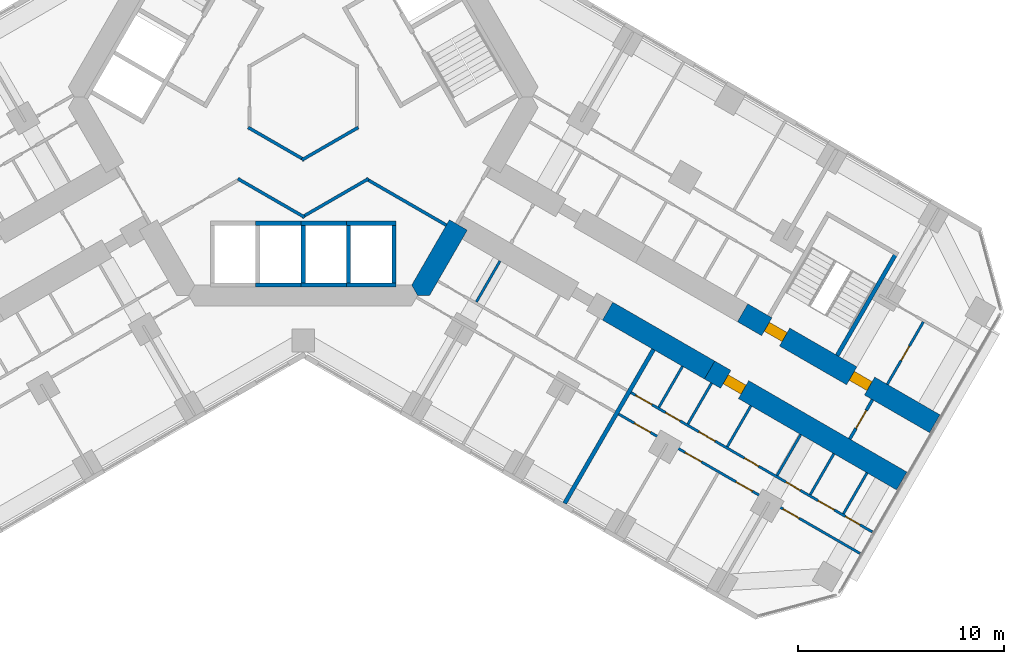
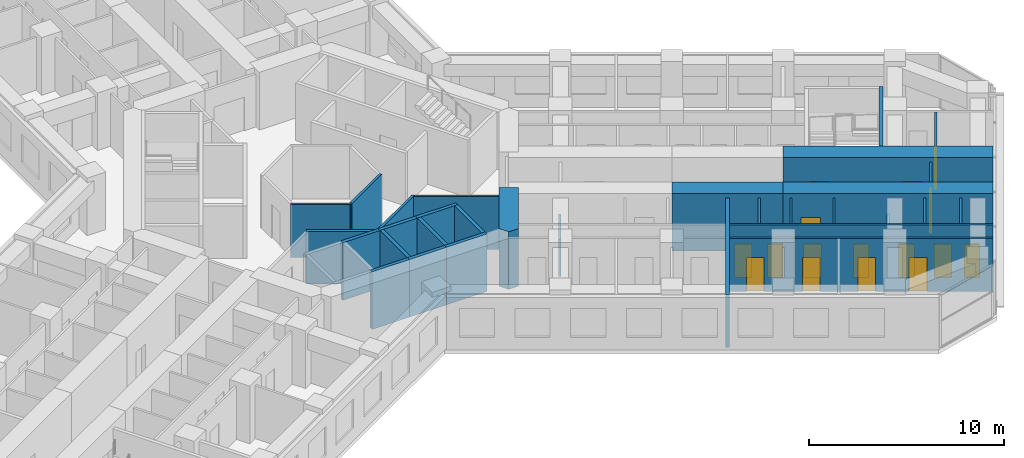
# One storey, part 14 of 21: 31 walls, 16 doors, 16 openings.
"""IFC4 building model written with IfcOpenShell, lengths in metres."""

from ifc_helpers import new_model, si_unit, direction, frame, frame_2d, origin, place, context, subcontext, project, spatial, polyline, rectangle, outline, extrude, material, layer, layer_set, type_object, element, fill, save


model = new_model("IFC4")

# Units and contexts
model_context = context("Model", 3, precision=1e-05, world=origin(), true_north=direction((0.0, 1.0)))
body_context = subcontext(model_context, "Body", "Model", "MODEL_VIEW")
ifc_project = project(units=[si_unit("LENGTHUNIT", "METRE"), si_unit("AREAUNIT", "SQUARE_METRE"), si_unit("VOLUMEUNIT", "CUBIC_METRE"), si_unit("PLANEANGLEUNIT", "RADIAN"), si_unit("MASSUNIT", "GRAM", prefix="KILO")], contexts=[model_context])

# Site, building, storey
site_placement = place(None, origin())
site = spatial("IfcSite", under=ifc_project, at=site_placement, CompositionType="ELEMENT")
building_placement = place(site_placement, origin())
building = spatial("IfcBuilding", under=site, at=building_placement, Name="Kosmar Iwan School Tower", CompositionType="ELEMENT")
storey_placement = place(building_placement, frame((0.0, 0.0, 28.800048828125)))
storey = spatial("IfcBuildingStorey", under=building, at=storey_placement, Name="L06", CompositionType="ELEMENT", Elevation=28.800048828125)

# Walls
ifc_material_1 = material(Name="Gypsum board on steel studs, fire-rated", Category="steel")
ifc_layer_1 = layer(ifc_material_1, 0.14990234375)
ifc_layer_set_1 = layer_set([ifc_layer_1], Name="Core room partition 150")
wall_type_1 = type_object("IfcWallType", Name="Core room partition 150", PredefinedType="PARTITIONING", material=ifc_layer_set_1)
for number, where, z_axis, x_axis, name in (
    (1, (2.6650390625, -1.463623046875, 0.0), (0.0, 0.0, 1.0), (-0.866023080072, -0.500004024767, 0.0), "Core room partition L06-CW4"),
    (2, (0.06494140625, -3.039794921875, 0.0), (0.0, 0.0, 1.0), (-0.866023080072, 0.500004024767, 0.0), "Core room partition L06-CW5"),
):
    element("IfcWall", number, at=place(storey_placement, frame(where, z_axis=z_axis, x_axis=x_axis)), inside=storey, type_object=wall_type_1, Name=name, PredefinedType="PARTITIONING", context=body_context, shape_type="SweptSolid", body=[
        extrude(rectangle(XDim=3.15234375, YDim=0.14990234375, at=frame_2d((1.576171875, 0.0))), origin(), (0.0, 0.0, 1.0), 3.300048828125),
    ])
for number, where, z_axis, x_axis, name in (
    (3, (-3.1650390625, -3.9462890625, 0.0), (0.0, 0.0, 1.0), (0.866035156036, -0.499983108224, 0.0), "Core room partition L06-CW11"),
    (4, (-0.06494140625, -5.81103515625, 0.0), (0.0, 0.0, 1.0), (0.866035156036, 0.499983108224, 0.0), "Core room partition L06-CW12"),
):
    element("IfcWall", number, at=place(storey_placement, frame(where, z_axis=z_axis, x_axis=x_axis)), inside=storey, type_object=wall_type_1, Name=name, PredefinedType="PARTITIONING", context=body_context, shape_type="SweptSolid", body=[
        extrude(rectangle(XDim=3.729736328125, YDim=0.14990234375, at=frame_2d((1.86474609375, 0.0))), origin(), (0.0, 0.0, 1.0), 3.300048828125),
    ])
wall_1_placement = place(storey_placement, frame((3.03515625, -3.9462890625, 0.0), z_axis=(0.0, 0.0, 1.0), x_axis=(0.866020192391, -0.500009026289, 0.0)))
element("IfcWall", 5, at=wall_1_placement, inside=storey, type_object=wall_type_1, Name="Core room partition L06-CW13", PredefinedType="PARTITIONING", context=body_context, shape_type="SweptSolid", body=[
    extrude(rectangle(XDim=4.49853515625, YDim=0.14990234375, at=frame_2d((2.249267578125, 0.0))), origin(), (0.0, 0.0, 1.0), 3.300048828125),
])
ifc_material_2 = material(Name="Concrete C50/60", Category="concrete")
ifc_layer_2 = layer(ifc_material_2, 1.0)
ifc_layer_set_2 = layer_set([ifc_layer_2], Name="Core wall 1000")
wall_type_2 = type_object("IfcWallType", Name="Core wall 1000", PredefinedType="SHEAR", material=ifc_layer_set_2)
wall_2_placement = place(storey_placement, origin())
element("IfcWall", 6, at=wall_2_placement, inside=storey, type_object=wall_type_2, Name="Core wall F330a", PredefinedType="SHEAR", context=body_context, shape_type="SweptSolid", body=[
    extrude(outline(polyline([(5.54248046875, -9.60009765625), (6.119873046875, -9.60009765625), (7.94677734375, -6.435546875), (7.080810546875, -5.935546875), (5.25390625, -9.10009765625), (5.54248046875, -9.60009765625)])), origin(), (0.0, 0.0, 1.0), 3.599853515625),
])

# Wall, openings, doors
ifc_material_3 = material(Name="Concrete C50/60", Category="concrete")
ifc_layer_3 = layer(ifc_material_3, 1.0)
ifc_layer_set_3 = layer_set([ifc_layer_3], Name="Corridor buttress wall 1000")
wall_type_3 = type_object("IfcWallType", Name="Corridor buttress wall 1000", PredefinedType="SHEAR", material=ifc_layer_set_3)
wall_3_placement = place(storey_placement, frame((21.281494140625, -10.439453125, 0.0), z_axis=(0.0, 0.0, 1.0), x_axis=(0.866032345022, -0.499987977232, 0.0)))
wall_3 = element("IfcWall", 7, at=wall_3_placement, inside=storey, type_object=wall_type_3, Name="Corridor wall CL bay 3", PredefinedType="SHEAR", context=body_context, shape_type="SweptSolid", body=[
    extrude(rectangle(XDim=10.744873046875, YDim=1.0, at=frame_2d((5.37255859375, 0.0))), origin(), (0.0, 0.0, 1.0), 3.599853515625),
])
opening_1_placement = place(wall_3_placement, frame((6.10009765625, 0.0, 0.0)))
opening_1 = element("IfcOpeningElement", 8, at=opening_1_placement, cuts=wall_3, Name="Opening D1", PredefinedType="OPENING", context=body_context, shape_type="SweptSolid", body=[
    extrude(rectangle(XDim=1.0, YDim=2.10009765625, at=frame_2d((0.5, 1.050048828125))), frame((0.0, 0.511962890625, 0.0), z_axis=(0.0, -1.0, 0.0), x_axis=(1.0, 0.0, 0.0)), (0.0, 0.0, 1.0), 1.02392578125),
])
opening_2_placement = place(wall_3_placement, frame((1.35009765625, 0.0, 0.0)))
opening_2 = element("IfcOpeningElement", 9, at=opening_2_placement, cuts=wall_3, Name="Opening D6", PredefinedType="OPENING", context=body_context, shape_type="SweptSolid", body=[
    extrude(rectangle(XDim=1.0, YDim=2.10009765625, at=frame_2d((0.5, 1.050048828125))), frame((0.0, 0.511962890625, 0.0), z_axis=(0.0, -1.0, 0.0), x_axis=(1.0, 0.0, 0.0)), (0.0, 0.0, 1.0), 1.02392578125),
])
ifc_material_4 = material(Name="Timber fire door in steel frame", Category="steel")
door_type_1 = type_object("IfcDoorType", Name="Flat entrance door 1000x2100", OperationType="SINGLE_SWING_LEFT", PredefinedType="DOOR", material=ifc_material_4)
door_1_placement = place(opening_1_placement, origin())
door_1 = element("IfcDoor", 10, at=door_1_placement, inside=storey, type_object=door_type_1, Name="Flat L06-CL2 entrance door", OperationType="SINGLE_SWING_RIGHT", OverallHeight=2.10009765625, OverallWidth=1.0, PredefinedType="DOOR", context=body_context, shape_type="SweptSolid", body=[
    extrude(rectangle(XDim=1.0, YDim=2.10009765625, at=frame_2d((0.5, 1.050048828125))), frame((0.0, 0.25, 0.0), z_axis=(0.0, -1.0, 0.0), x_axis=(1.0, 0.0, 0.0)), (0.0, 0.0, 1.0), 0.5),
])
fill(opening_1, door_1)
ifc_material_5 = material(Name="Steel fire door", Category="steel")
door_type_2 = type_object("IfcDoorType", Name="Stair door 1000x2100", OperationType="SINGLE_SWING_LEFT", PredefinedType="DOOR", material=ifc_material_5)
door_2_placement = place(opening_2_placement, origin())
door_2 = element("IfcDoor", 11, at=door_2_placement, inside=storey, type_object=door_type_2, Name="Stair WS3 door L06", OperationType="SINGLE_SWING_LEFT", OverallHeight=2.10009765625, OverallWidth=1.0, PredefinedType="DOOR", context=body_context, shape_type="SweptSolid", body=[
    extrude(rectangle(XDim=1.0, YDim=2.10009765625, at=frame_2d((0.5, 1.050048828125))), frame((0.0, 0.25, 0.0), z_axis=(0.0, -1.0, 0.0), x_axis=(1.0, 0.0, 0.0)), (0.0, 0.0, 1.0), 0.5),
])
fill(opening_2, door_2)

# Wall
wall_4_placement = place(storey_placement, frame((14.7451171875, -10.360595703125, 0.0), z_axis=(0.0, 0.0, 1.0), x_axis=(0.866015111908, -0.50001782563, 0.0)))
element("IfcWall", 12, at=wall_4_placement, inside=storey, type_object=wall_type_3, Name="Corridor wall CR bay 2", PredefinedType="SHEAR", context=body_context, shape_type="SweptSolid", body=[
    extrude(rectangle(XDim=5.699951171875, YDim=1.0, at=frame_2d((2.85009765625, 0.0))), origin(), (0.0, 0.0, 1.0), 3.599853515625),
])

# Wall, opening, door
wall_5_placement = place(storey_placement, frame((19.681396484375, -13.210693359375, 0.0), z_axis=(0.0, 0.0, 1.0), x_axis=(0.866028186671, -0.499995179869, 0.0)))
wall_5 = element("IfcWall", 13, at=wall_5_placement, inside=storey, type_object=wall_type_3, Name="Corridor wall CR bay 3", PredefinedType="SHEAR", context=body_context, shape_type="SweptSolid", body=[
    extrude(rectangle(XDim=10.7451171875, YDim=1.0, at=frame_2d((5.37255859375, 0.0))), origin(), (0.0, 0.0, 1.0), 3.599853515625),
])
opening_3_placement = place(wall_5_placement, frame((0.89990234375, 0.0, 0.0)))
opening_3 = element("IfcOpeningElement", 14, at=opening_3_placement, cuts=wall_5, Name="Opening D1", PredefinedType="OPENING", context=body_context, shape_type="SweptSolid", body=[
    extrude(rectangle(XDim=1.0, YDim=2.10009765625, at=frame_2d((0.5, 1.050048828125))), frame((0.0, 0.511962890625, 0.0), z_axis=(0.0, -1.0, 0.0), x_axis=(1.0, 0.0, 0.0)), (0.0, 0.0, 1.0), 1.02392578125),
])
door_3_placement = place(opening_3_placement, origin())
door_3 = element("IfcDoor", 15, at=door_3_placement, inside=storey, type_object=door_type_1, Name="Flat L06-CR2 entrance door", OperationType="SINGLE_SWING_LEFT", OverallHeight=2.10009765625, OverallWidth=1.0, PredefinedType="DOOR", context=body_context, shape_type="SweptSolid", body=[
    extrude(rectangle(XDim=1.0, YDim=2.10009765625, at=frame_2d((0.5, 1.050048828125))), frame((0.0, 0.25, 0.0), z_axis=(0.0, -1.0, 0.0), x_axis=(1.0, 0.0, 0.0)), (0.0, 0.0, 1.0), 0.5),
])
fill(opening_3, door_3)

ifc_material_6 = material(Name="Gypsum board on steel studs, fire-rated", Category="steel")
ifc_layer_4 = layer(ifc_material_6, 0.14990234375)
ifc_layer_set_4 = layer_set([ifc_layer_4], Name="Corridor end wall 150")
wall_type_4 = type_object("IfcWallType", Name="Corridor end wall 150", PredefinedType="PARTITIONING", material=ifc_layer_set_4)
wall_6_placement = place(storey_placement, frame((26.469970703125, -16.552734375, 0.0), z_axis=(0.0, 0.0, 1.0), x_axis=(0.50002983664, 0.866008176907, 0.0)))
wall_6 = element("IfcWall", 16, at=wall_6_placement, inside=storey, type_object=wall_type_4, Name="Partition L06-C-CE", PredefinedType="PARTITIONING", context=body_context, shape_type="SweptSolid", body=[
    extrude(rectangle(XDim=2.199951171875, YDim=0.14990234375, at=frame_2d((1.10009765625, 0.0))), origin(), (0.0, 0.0, 1.0), 3.300048828125),
])
opening_4_placement = place(wall_6_placement, frame((0.60009765625, 0.0, 0.0)))
opening_4 = element("IfcOpeningElement", 17, at=opening_4_placement, cuts=wall_6, Name="Opening D13", PredefinedType="OPENING", context=body_context, shape_type="SweptSolid", body=[
    extrude(rectangle(XDim=1.0, YDim=2.10009765625, at=frame_2d((0.5, 1.050048828125))), frame((0.0, 0.0869140625, 0.0), z_axis=(0.0, -1.0, 0.0), x_axis=(1.0, 0.0, 0.0)), (0.0, 0.0, 1.0), 0.173828125),
])
ifc_material_7 = material(Name="Timber fire door with vision panel", Category="wood")
door_type_3 = type_object("IfcDoorType", Name="Corridor end door 1000x2100", OperationType="SINGLE_SWING_LEFT", PredefinedType="DOOR", material=ifc_material_7)
door_4_placement = place(opening_4_placement, origin())
door_4 = element("IfcDoor", 18, at=door_4_placement, inside=storey, type_object=door_type_3, Name="Laundry and drying room door L06-C", OperationType="SINGLE_SWING_RIGHT", OverallHeight=2.10009765625, OverallWidth=1.0, PredefinedType="DOOR", context=body_context, shape_type="SweptSolid", body=[
    extrude(rectangle(XDim=1.0, YDim=2.10009765625, at=frame_2d((0.5, 1.050048828125))), frame((0.0, 0.02490234375, 0.0), z_axis=(0.0, -1.0, 0.0), x_axis=(1.0, 0.0, 0.0)), (0.0, 0.0, 1.0), 0.050048828125),
])
fill(opening_4, door_4)

ifc_material_8 = material(Name="Gypsum board on steel studs", Category="steel")
ifc_layer_5 = layer(ifc_material_8, 0.1201171875)
ifc_layer_set_5 = layer_set([ifc_layer_5], Name="Dwelling partition 120")
wall_type_5 = type_object("IfcWallType", Name="Dwelling partition 120", PredefinedType="PARTITIONING", material=ifc_layer_set_5)
wall_7_placement = place(storey_placement, frame((28.286376953125, -13.90625, 0.0), z_axis=(0.0, 0.0, 1.0), x_axis=(0.50002117804, 0.866013176292, 0.0)))
wall_7 = element("IfcWall", 19, at=wall_7_placement, inside=storey, type_object=wall_type_5, Name="Partition L06-CL2-TY", PredefinedType="PARTITIONING", context=body_context, shape_type="SweptSolid", body=[
    extrude(rectangle(XDim=3.489990234375, YDim=0.1201171875, at=frame_2d((1.7451171875, 0.0))), origin(), (0.0, 0.0, 1.0), 3.300048828125),
])
opening_5_placement = place(wall_7_placement, frame((1.344970703125, 0.0, 0.0)))
opening_5 = element("IfcOpeningElement", 20, at=opening_5_placement, cuts=wall_7, Name="Opening D3", PredefinedType="OPENING", context=body_context, shape_type="SweptSolid", body=[
    extrude(rectangle(XDim=0.800048828125, YDim=2.10009765625, at=frame_2d((0.39990234375, 1.050048828125))), frame((0.0, 0.072021484375, 0.0), z_axis=(0.0, -1.0, 0.0), x_axis=(1.0, 0.0, 0.0)), (0.0, 0.0, 1.0), 0.14404296875),
])
ifc_material_9 = material(Name="Timber door in timber frame", Category="wood")
door_type_4 = type_object("IfcDoorType", Name="Sanitary room door 800x2100", OperationType="SINGLE_SWING_LEFT", PredefinedType="DOOR", material=ifc_material_9)
door_5_placement = place(opening_5_placement, origin())
door_5 = element("IfcDoor", 21, at=door_5_placement, inside=storey, type_object=door_type_4, Name="Bathroom door L06-CL2-T4", OperationType="SINGLE_SWING_RIGHT", OverallHeight=2.10009765625, OverallWidth=0.800048828125, PredefinedType="DOOR", context=body_context, shape_type="SweptSolid", body=[
    extrude(rectangle(XDim=0.800048828125, YDim=2.10009765625, at=frame_2d((0.39990234375, 1.050048828125))), frame((0.0, 0.02490234375, 0.0), z_axis=(0.0, -1.0, 0.0), x_axis=(1.0, 0.0, 0.0)), (0.0, 0.0, 1.0), 0.050048828125),
])
fill(opening_5, door_5)

# Wall
wall_8_placement = place(storey_placement, frame((9.53271484375, -7.9287109375, 0.0), z_axis=(0.0, 0.0, 1.0), x_axis=(-0.49993472906, -0.8660630847, 0.0)))
element("IfcWall", 22, at=wall_8_placement, inside=storey, type_object=wall_type_5, Name="Partition L06-CR1-Y1", PredefinedType="PARTITIONING", context=body_context, shape_type="SweptSolid", body=[
    extrude(rectangle(XDim=2.289794921875, YDim=0.1201171875, at=frame_2d((1.14501953125, 0.0))), origin(), (0.0, 0.0, 1.0), 2.300048828125),
])

# Wall, openings, doors
wall_9_placement = place(storey_placement, frame((15.875, -14.3037109375, 0.0), z_axis=(0.0, 0.0, 1.0), x_axis=(0.866023503214, -0.50000329187, 0.0)))
wall_9 = element("IfcWall", 23, at=wall_9_placement, inside=storey, type_object=wall_type_5, Name="Partition L06-CR2-W1", PredefinedType="PARTITIONING", context=body_context, shape_type="SweptSolid", body=[
    extrude(rectangle(XDim=13.4951171875, YDim=0.1201171875, at=frame_2d((6.74755859375, 0.0))), origin(), (0.0, 0.0, 1.0), 3.300048828125),
])
opening_6_placement = place(wall_9_placement, frame((0.262451171875, 0.0, 0.0)))
opening_6 = element("IfcOpeningElement", 24, at=opening_6_placement, cuts=wall_9, Name="Opening D2", PredefinedType="OPENING", context=body_context, shape_type="SweptSolid", body=[
    extrude(rectangle(XDim=0.89990234375, YDim=2.10009765625, at=frame_2d((0.449951171875, 1.050048828125))), frame((0.0, 0.072021484375, 0.0), z_axis=(0.0, -1.0, 0.0), x_axis=(1.0, 0.0, 0.0)), (0.0, 0.0, 1.0), 0.14404296875),
])
opening_7_placement = place(wall_9_placement, frame((1.9375, 0.0, 0.0)))
opening_7 = element("IfcOpeningElement", 25, at=opening_7_placement, cuts=wall_9, Name="Opening D3", PredefinedType="OPENING", context=body_context, shape_type="SweptSolid", body=[
    extrude(rectangle(XDim=0.800048828125, YDim=2.10009765625, at=frame_2d((0.39990234375, 1.050048828125))), frame((0.0, 0.072021484375, 0.0), z_axis=(0.0, -1.0, 0.0), x_axis=(1.0, 0.0, 0.0)), (0.0, 0.0, 1.0), 0.14404296875),
])
opening_8_placement = place(wall_9_placement, frame((3.800048828125, 0.0, 0.0)))
opening_8 = element("IfcOpeningElement", 26, at=opening_8_placement, cuts=wall_9, Name="Opening D2", PredefinedType="OPENING", context=body_context, shape_type="SweptSolid", body=[
    extrude(rectangle(XDim=0.89990234375, YDim=2.10009765625, at=frame_2d((0.449951171875, 1.050048828125))), frame((0.0, 0.072021484375, 0.0), z_axis=(0.0, -1.0, 0.0), x_axis=(1.0, 0.0, 0.0)), (0.0, 0.0, 1.0), 0.14404296875),
])
opening_9_placement = place(wall_9_placement, frame((6.341796875, 0.0, 0.0)))
opening_9 = element("IfcOpeningElement", 27, at=opening_9_placement, cuts=wall_9, Name="Opening D3", PredefinedType="OPENING", context=body_context, shape_type="SweptSolid", body=[
    extrude(rectangle(XDim=0.800048828125, YDim=2.10009765625, at=frame_2d((0.39990234375, 1.050048828125))), frame((0.0, 0.072021484375, 0.0), z_axis=(0.0, -1.0, 0.0), x_axis=(1.0, 0.0, 0.0)), (0.0, 0.0, 1.0), 0.14404296875),
])
opening_10_placement = place(wall_9_placement, frame((8.6611328125, 0.0, 0.0)))
opening_10 = element("IfcOpeningElement", 28, at=opening_10_placement, cuts=wall_9, Name="Opening D3", PredefinedType="OPENING", context=body_context, shape_type="SweptSolid", body=[
    extrude(rectangle(XDim=0.800048828125, YDim=2.10009765625, at=frame_2d((0.39990234375, 1.050048828125))), frame((0.0, 0.072021484375, 0.0), z_axis=(0.0, -1.0, 0.0), x_axis=(1.0, 0.0, 0.0)), (0.0, 0.0, 1.0), 0.14404296875),
])
opening_11_placement = place(wall_9_placement, frame((10.466796875, 0.0, 0.0)))
opening_11 = element("IfcOpeningElement", 29, at=opening_11_placement, cuts=wall_9, Name="Opening D2", PredefinedType="OPENING", context=body_context, shape_type="SweptSolid", body=[
    extrude(rectangle(XDim=0.89990234375, YDim=2.10009765625, at=frame_2d((0.449951171875, 1.050048828125))), frame((0.0, 0.072021484375, 0.0), z_axis=(0.0, -1.0, 0.0), x_axis=(1.0, 0.0, 0.0)), (0.0, 0.0, 1.0), 0.14404296875),
])
opening_12_placement = place(wall_9_placement, frame((12.00439453125, 0.0, 0.0)))
opening_12 = element("IfcOpeningElement", 30, at=opening_12_placement, cuts=wall_9, Name="Opening D3", PredefinedType="OPENING", context=body_context, shape_type="SweptSolid", body=[
    extrude(rectangle(XDim=0.800048828125, YDim=2.10009765625, at=frame_2d((0.39990234375, 1.050048828125))), frame((0.0, 0.072021484375, 0.0), z_axis=(0.0, -1.0, 0.0), x_axis=(1.0, 0.0, 0.0)), (0.0, 0.0, 1.0), 0.14404296875),
])
ifc_material_10 = material(Name="Timber door in timber frame", Category="wood")
door_type_5 = type_object("IfcDoorType", Name="Internal door 900x2100", OperationType="SINGLE_SWING_LEFT", PredefinedType="DOOR", material=ifc_material_10)
door_6_placement = place(opening_6_placement, origin())
door_6 = element("IfcDoor", 31, at=door_6_placement, inside=storey, type_object=door_type_5, Name="Utility room door L06-CR2-S1", OperationType="SINGLE_SWING_LEFT", OverallHeight=2.10009765625, OverallWidth=0.89990234375, PredefinedType="DOOR", context=body_context, shape_type="SweptSolid", body=[
    extrude(rectangle(XDim=0.89990234375, YDim=2.10009765625, at=frame_2d((0.449951171875, 1.050048828125))), frame((0.0, 0.02490234375, 0.0), z_axis=(0.0, -1.0, 0.0), x_axis=(1.0, 0.0, 0.0)), (0.0, 0.0, 1.0), 0.050048828125),
])
fill(opening_6, door_6)
door_7_placement = place(opening_8_placement, origin())
door_7 = element("IfcDoor", 32, at=door_7_placement, inside=storey, type_object=door_type_5, Name="Entrance hall door L06-CR2-S3", OperationType="SINGLE_SWING_LEFT", OverallHeight=2.10009765625, OverallWidth=0.89990234375, PredefinedType="DOOR", context=body_context, shape_type="SweptSolid", body=[
    extrude(rectangle(XDim=0.89990234375, YDim=2.10009765625, at=frame_2d((0.449951171875, 1.050048828125))), frame((0.0, 0.02490234375, 0.0), z_axis=(0.0, -1.0, 0.0), x_axis=(1.0, 0.0, 0.0)), (0.0, 0.0, 1.0), 0.050048828125),
])
fill(opening_8, door_7)
door_8_placement = place(opening_11_placement, origin())
door_8 = element("IfcDoor", 33, at=door_8_placement, inside=storey, type_object=door_type_5, Name="Pantry door L06-CR2-S6", OperationType="SINGLE_SWING_RIGHT", OverallHeight=2.10009765625, OverallWidth=0.89990234375, PredefinedType="DOOR", context=body_context, shape_type="SweptSolid", body=[
    extrude(rectangle(XDim=0.89990234375, YDim=2.10009765625, at=frame_2d((0.449951171875, 1.050048828125))), frame((0.0, 0.02490234375, 0.0), z_axis=(0.0, -1.0, 0.0), x_axis=(1.0, 0.0, 0.0)), (0.0, 0.0, 1.0), 0.050048828125),
])
fill(opening_11, door_8)
door_9_placement = place(opening_7_placement, origin())
door_9 = element("IfcDoor", 34, at=door_9_placement, inside=storey, type_object=door_type_4, Name="WC door L06-CR2-S2", OperationType="SINGLE_SWING_RIGHT", OverallHeight=2.10009765625, OverallWidth=0.800048828125, PredefinedType="DOOR", context=body_context, shape_type="SweptSolid", body=[
    extrude(rectangle(XDim=0.800048828125, YDim=2.10009765625, at=frame_2d((0.39990234375, 1.050048828125))), frame((0.0, 0.02490234375, 0.0), z_axis=(0.0, -1.0, 0.0), x_axis=(1.0, 0.0, 0.0)), (0.0, 0.0, 1.0), 0.050048828125),
])
fill(opening_7, door_9)
door_10_placement = place(opening_9_placement, origin())
door_10 = element("IfcDoor", 35, at=door_10_placement, inside=storey, type_object=door_type_4, Name="Bathroom door L06-CR2-S4", OperationType="SINGLE_SWING_RIGHT", OverallHeight=2.10009765625, OverallWidth=0.800048828125, PredefinedType="DOOR", context=body_context, shape_type="SweptSolid", body=[
    extrude(rectangle(XDim=0.800048828125, YDim=2.10009765625, at=frame_2d((0.39990234375, 1.050048828125))), frame((0.0, 0.02490234375, 0.0), z_axis=(0.0, -1.0, 0.0), x_axis=(1.0, 0.0, 0.0)), (0.0, 0.0, 1.0), 0.050048828125),
])
fill(opening_9, door_10)
door_11_placement = place(opening_10_placement, origin())
door_11 = element("IfcDoor", 36, at=door_11_placement, inside=storey, type_object=door_type_4, Name="Shower room door L06-CR2-S5", OperationType="SINGLE_SWING_LEFT", OverallHeight=2.10009765625, OverallWidth=0.800048828125, PredefinedType="DOOR", context=body_context, shape_type="SweptSolid", body=[
    extrude(rectangle(XDim=0.800048828125, YDim=2.10009765625, at=frame_2d((0.39990234375, 1.050048828125))), frame((0.0, 0.02490234375, 0.0), z_axis=(0.0, -1.0, 0.0), x_axis=(1.0, 0.0, 0.0)), (0.0, 0.0, 1.0), 0.050048828125),
])
fill(opening_10, door_11)
door_12_placement = place(opening_12_placement, origin())
door_12 = element("IfcDoor", 37, at=door_12_placement, inside=storey, type_object=door_type_4, Name="Store door L06-CR2-S7", OperationType="SINGLE_SWING_LEFT", OverallHeight=2.10009765625, OverallWidth=0.800048828125, PredefinedType="DOOR", context=body_context, shape_type="SweptSolid", body=[
    extrude(rectangle(XDim=0.800048828125, YDim=2.10009765625, at=frame_2d((0.39990234375, 1.050048828125))), frame((0.0, 0.02490234375, 0.0), z_axis=(0.0, -1.0, 0.0), x_axis=(1.0, 0.0, 0.0)), (0.0, 0.0, 1.0), 0.050048828125),
])
fill(opening_12, door_12)

wall_10_placement = place(storey_placement, frame((15.27490234375, -15.343017578125, 0.0), z_axis=(0.0, 0.0, 1.0), x_axis=(0.866023503214, -0.50000329187, 0.0)))
wall_10 = element("IfcWall", 38, at=wall_10_placement, inside=storey, type_object=wall_type_5, Name="Partition L06-CR2-W2", PredefinedType="PARTITIONING", context=body_context, shape_type="SweptSolid", body=[
    extrude(rectangle(XDim=13.4951171875, YDim=0.1201171875, at=frame_2d((6.74755859375, 0.0))), origin(), (0.0, 0.0, 1.0), 3.300048828125),
])
opening_13_placement = place(wall_10_placement, frame((0.875, 0.0, 0.0)))
opening_13 = element("IfcOpeningElement", 39, at=opening_13_placement, cuts=wall_10, Name="Opening D2", PredefinedType="OPENING", context=body_context, shape_type="SweptSolid", body=[
    extrude(rectangle(XDim=0.89990234375, YDim=2.10009765625, at=frame_2d((0.449951171875, 1.050048828125))), frame((0.0, 0.072021484375, 0.0), z_axis=(0.0, -1.0, 0.0), x_axis=(1.0, 0.0, 0.0)), (0.0, 0.0, 1.0), 0.14404296875),
])
opening_14_placement = place(wall_10_placement, frame((3.72509765625, 0.0, 0.0)))
opening_14 = element("IfcOpeningElement", 40, at=opening_14_placement, cuts=wall_10, Name="Opening D2", PredefinedType="OPENING", context=body_context, shape_type="SweptSolid", body=[
    extrude(rectangle(XDim=0.89990234375, YDim=2.10009765625, at=frame_2d((0.449951171875, 1.050048828125))), frame((0.0, 0.072021484375, 0.0), z_axis=(0.0, -1.0, 0.0), x_axis=(1.0, 0.0, 0.0)), (0.0, 0.0, 1.0), 0.14404296875),
])
opening_15_placement = place(wall_10_placement, frame((6.574951171875, 0.0, 0.0)))
opening_15 = element("IfcOpeningElement", 41, at=opening_15_placement, cuts=wall_10, Name="Opening D2", PredefinedType="OPENING", context=body_context, shape_type="SweptSolid", body=[
    extrude(rectangle(XDim=0.89990234375, YDim=2.10009765625, at=frame_2d((0.449951171875, 1.050048828125))), frame((0.0, 0.072021484375, 0.0), z_axis=(0.0, -1.0, 0.0), x_axis=(1.0, 0.0, 0.0)), (0.0, 0.0, 1.0), 0.14404296875),
])
opening_16_placement = place(wall_10_placement, frame((9.199951171875, 0.0, 0.0)))
opening_16 = element("IfcOpeningElement", 42, at=opening_16_placement, cuts=wall_10, Name="Opening D2", PredefinedType="OPENING", context=body_context, shape_type="SweptSolid", body=[
    extrude(rectangle(XDim=0.89990234375, YDim=2.10009765625, at=frame_2d((0.449951171875, 1.050048828125))), frame((0.0, 0.072021484375, 0.0), z_axis=(0.0, -1.0, 0.0), x_axis=(1.0, 0.0, 0.0)), (0.0, 0.0, 1.0), 0.14404296875),
])
door_13_placement = place(opening_13_placement, origin())
door_13 = element("IfcDoor", 43, at=door_13_placement, inside=storey, type_object=door_type_5, Name="Study door L06-CR2-F1", OperationType="SINGLE_SWING_LEFT", OverallHeight=2.10009765625, OverallWidth=0.89990234375, PredefinedType="DOOR", context=body_context, shape_type="SweptSolid", body=[
    extrude(rectangle(XDim=0.89990234375, YDim=2.10009765625, at=frame_2d((0.449951171875, 1.050048828125))), frame((0.0, 0.02490234375, 0.0), z_axis=(0.0, -1.0, 0.0), x_axis=(1.0, 0.0, 0.0)), (0.0, 0.0, 1.0), 0.050048828125),
])
fill(opening_13, door_13)
door_14_placement = place(opening_14_placement, origin())
door_14 = element("IfcDoor", 44, at=door_14_placement, inside=storey, type_object=door_type_5, Name="Bedroom 1 door L06-CR2-F2", OperationType="SINGLE_SWING_LEFT", OverallHeight=2.10009765625, OverallWidth=0.89990234375, PredefinedType="DOOR", context=body_context, shape_type="SweptSolid", body=[
    extrude(rectangle(XDim=0.89990234375, YDim=2.10009765625, at=frame_2d((0.449951171875, 1.050048828125))), frame((0.0, 0.02490234375, 0.0), z_axis=(0.0, -1.0, 0.0), x_axis=(1.0, 0.0, 0.0)), (0.0, 0.0, 1.0), 0.050048828125),
])
fill(opening_14, door_14)
door_15_placement = place(opening_15_placement, origin())
door_15 = element("IfcDoor", 45, at=door_15_placement, inside=storey, type_object=door_type_5, Name="Bedroom 2 door L06-CR2-F3", OperationType="SINGLE_SWING_RIGHT", OverallHeight=2.10009765625, OverallWidth=0.89990234375, PredefinedType="DOOR", context=body_context, shape_type="SweptSolid", body=[
    extrude(rectangle(XDim=0.89990234375, YDim=2.10009765625, at=frame_2d((0.449951171875, 1.050048828125))), frame((0.0, 0.02490234375, 0.0), z_axis=(0.0, -1.0, 0.0), x_axis=(1.0, 0.0, 0.0)), (0.0, 0.0, 1.0), 0.050048828125),
])
fill(opening_15, door_15)
door_16_placement = place(opening_16_placement, origin())
door_16 = element("IfcDoor", 46, at=door_16_placement, inside=storey, type_object=door_type_5, Name="Living room and kitchen door L06-CR2-F4", OperationType="SINGLE_SWING_RIGHT", OverallHeight=2.10009765625, OverallWidth=0.89990234375, PredefinedType="DOOR", context=body_context, shape_type="SweptSolid", body=[
    extrude(rectangle(XDim=0.89990234375, YDim=2.10009765625, at=frame_2d((0.449951171875, 1.050048828125))), frame((0.0, 0.02490234375, 0.0), z_axis=(0.0, -1.0, 0.0), x_axis=(1.0, 0.0, 0.0)), (0.0, 0.0, 1.0), 0.050048828125),
])
fill(opening_16, door_16)

# Walls
for number, where, z_axis, x_axis, name in (
    (47, (18.37060546875, -13.03125, 0.0), (0.0, 0.0, 1.0), (-0.500014693593, -0.866016920268, 0.0), "Partition L06-CR2-Y1"),
    (48, (19.77783203125, -13.84375, 0.0), (0.0, 0.0, 1.0), (-0.500014693593, -0.866016920268, 0.0), "Partition L06-CR2-Y2"),
    (49, (21.68310546875, -14.943603515625, 0.0), (0.0, 0.0, 1.0), (-0.500014693593, -0.866016920268, 0.0), "Partition L06-CR2-Y3"),
):
    element("IfcWall", number, at=place(storey_placement, frame(where, z_axis=z_axis, x_axis=x_axis)), inside=storey, type_object=wall_type_5, Name=name, PredefinedType="PARTITIONING", context=body_context, shape_type="SweptSolid", body=[
        extrude(rectangle(XDim=2.2900390625, YDim=0.1201171875, at=frame_2d((1.14501953125, 0.0))), origin(), (0.0, 0.0, 1.0), 3.300048828125),
    ])
wall_11_placement = place(storey_placement, frame((24.093505859375, -16.335205078125, 0.0), z_axis=(0.0, 0.0, 1.0), x_axis=(-0.499968531483, -0.866043571379, 0.0)))
element("IfcWall", 50, at=wall_11_placement, inside=storey, type_object=wall_type_5, Name="Partition L06-CR2-Y4", PredefinedType="PARTITIONING", context=body_context, shape_type="SweptSolid", body=[
    extrude(rectangle(XDim=2.290283203125, YDim=0.1201171875, at=frame_2d((1.14501953125, 0.0))), origin(), (0.0, 0.0, 1.0), 2.300048828125),
])
for number, where, z_axis, x_axis, name in (
    (51, (25.70068359375, -17.26318359375, 0.0), (0.0, 0.0, 1.0), (-0.500014693593, -0.866016920268, 0.0), "Partition L06-CR2-Y5"),
    (52, (27.3076171875, -18.19091796875, 0.0), (0.0, 0.0, 1.0), (-0.500014693593, -0.866016920268, 0.0), "Partition L06-CR2-Y6"),
):
    element("IfcWall", number, at=place(storey_placement, frame(where, z_axis=z_axis, x_axis=x_axis)), inside=storey, type_object=wall_type_5, Name=name, PredefinedType="PARTITIONING", context=body_context, shape_type="SweptSolid", body=[
        extrude(rectangle(XDim=2.2900390625, YDim=0.1201171875, at=frame_2d((1.14501953125, 0.0))), origin(), (0.0, 0.0, 1.0), 3.300048828125),
    ])
ifc_material_11 = material(Name="Concrete C35/45", Category="concrete")
ifc_layer_6 = layer(ifc_material_11, 0.199951171875)
ifc_layer_set_6 = layer_set([ifc_layer_6], Name="Escape stair wall 200")
wall_type_6 = type_object("IfcWallType", Name="Escape stair wall 200", PredefinedType="SHEAR", material=ifc_layer_set_6)
wall_12_placement = place(storey_placement, frame((25.861572265625, -12.50634765625, 0.0), z_axis=(0.0, 0.0, 1.0), x_axis=(0.500018801468, 0.86601454848, 0.0)))
element("IfcWall", 53, at=wall_12_placement, inside=storey, type_object=wall_type_6, Name="Stair WS3 wall", PredefinedType="SHEAR", context=body_context, shape_type="SweptSolid", body=[
    extrude(rectangle(XDim=5.800048828125, YDim=0.199951171875, at=frame_2d((2.89990234375, 0.0))), origin(), (0.0, 0.0, 1.0), 3.280029296875),
])
ifc_material_12 = material(Name="Concrete C50/60", Category="concrete")
ifc_layer_7 = layer(ifc_material_12, 0.199951171875)
ifc_layer_set_7 = layer_set([ifc_layer_7], Name="Lift shaft wall 200")
wall_type_7 = type_object("IfcWallType", Name="Lift shaft wall 200", PredefinedType="SHEAR", material=ifc_layer_set_7)
for number, where, z_axis, x_axis, name in (
    (54, (-2.300048828125, -6.10009765625, 0.0), (0.0, 0.0, 1.0), (1.0, 0.0, 0.0), "Lift and stair front wall BC"),
    (55, (-2.300048828125, -9.10009765625, 0.0), (0.0, 0.0, 1.0), (1.0, 0.0, 0.0), "Lift and stair back wall BC"),
):
    element("IfcWall", number, at=place(storey_placement, frame(where, z_axis=z_axis, x_axis=x_axis)), inside=storey, type_object=wall_type_7, Name=name, PredefinedType="SHEAR", context=body_context, shape_type="SweptSolid", body=[
        extrude(rectangle(XDim=2.199951171875, YDim=0.199951171875, at=frame_2d((1.10009765625, 0.0))), origin(), (0.0, 0.0, 1.0), 3.599853515625),
    ])
for number, where, z_axis, x_axis, name in (
    (56, (-0.10009765625, -6.10009765625, 0.0), (0.0, 0.0, 1.0), (1.0, 0.0, 0.0), "Lift and stair front wall BC"),
    (57, (-0.10009765625, -9.10009765625, 0.0), (0.0, 0.0, 1.0), (1.0, 0.0, 0.0), "Lift and stair back wall BC"),
):
    element("IfcWall", number, at=place(storey_placement, frame(where, z_axis=z_axis, x_axis=x_axis)), inside=storey, type_object=wall_type_7, Name=name, PredefinedType="SHEAR", context=body_context, shape_type="SweptSolid", body=[
        extrude(rectangle(XDim=2.2001953125, YDim=0.199951171875, at=frame_2d((1.10009765625, 0.0))), origin(), (0.0, 0.0, 1.0), 3.599853515625),
    ])
for number, where, z_axis, x_axis, name in (
    (58, (2.10009765625, -6.10009765625, 0.0), (0.0, 0.0, 1.0), (1.0, 0.0, 0.0), "Lift and stair front wall BC"),
    (59, (2.10009765625, -9.10009765625, 0.0), (0.0, 0.0, 1.0), (1.0, 0.0, 0.0), "Lift and stair back wall BC"),
):
    element("IfcWall", number, at=place(storey_placement, frame(where, z_axis=z_axis, x_axis=x_axis)), inside=storey, type_object=wall_type_7, Name=name, PredefinedType="SHEAR", context=body_context, shape_type="SweptSolid", body=[
        extrude(rectangle(XDim=2.39990234375, YDim=0.199951171875, at=frame_2d((1.199951171875, 0.0))), origin(), (0.0, 0.0, 1.0), 3.599853515625),
    ])
for number, where, z_axis, x_axis, name in (
    (60, (0.0, -6.199951171875, 0.0), (0.0, 0.0, 1.0), (0.0, -1.0, 0.0), "Lift shaft wall BC 2"),
    (61, (2.199951171875, -6.199951171875, 0.0), (0.0, 0.0, 1.0), (0.0, -1.0, 0.0), "Lift shaft wall BC 3"),
    (62, (4.39990234375, -6.199951171875, 0.0), (0.0, 0.0, 1.0), (0.0, -1.0, 0.0), "Lift shaft wall BC 4"),
):
    element("IfcWall", number, at=place(storey_placement, frame(where, z_axis=z_axis, x_axis=x_axis)), inside=storey, type_object=wall_type_7, Name=name, PredefinedType="SHEAR", context=body_context, shape_type="SweptSolid", body=[
        extrude(rectangle(XDim=2.800048828125, YDim=0.199951171875, at=frame_2d((1.39990234375, 0.0))), origin(), (0.0, 0.0, 1.0), 3.599853515625),
    ])
ifc_material_13 = material(Name="Concrete block masonry", Category="masonry")
ifc_layer_8 = layer(ifc_material_13, 0.199951171875)
ifc_layer_set_8 = layer_set([ifc_layer_8], Name="Party wall 200")
wall_type_8 = type_object("IfcWallType", Name="Party wall 200", PredefinedType="PARTITIONING", material=ifc_layer_set_8)
wall_13_placement = place(storey_placement, frame((16.96337890625, -12.21875, 0.0), z_axis=(0.0, 0.0, 1.0), x_axis=(-0.500007509209, -0.866021068297, 0.0)))
element("IfcWall", 63, at=wall_13_placement, inside=storey, type_object=wall_type_8, Name="Partition L06-CR2-PW", PredefinedType="PARTITIONING", context=body_context, shape_type="SweptSolid", body=[
    extrude(rectangle(XDim=8.599853515625, YDim=0.199951171875, at=frame_2d((4.2998046875, 0.0))), origin(), (0.0, 0.0, 1.0), 3.300048828125),
])

save(model, "model.ifc")
